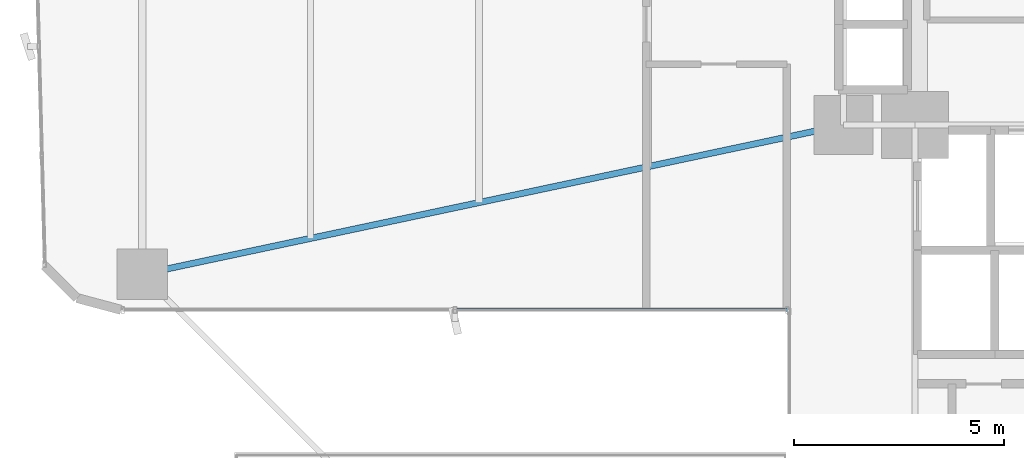
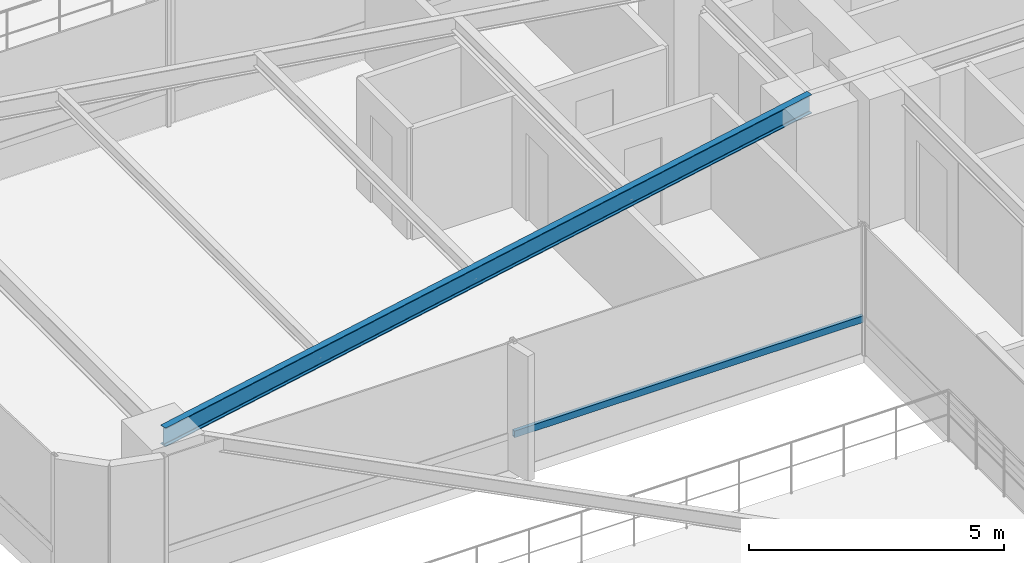
# One storey, part 6 of 27: 1 beam, 1 member, 1 element without a shape of its own.
"""IFC4 building model written with IfcOpenShell, lengths in metres."""

from ifc_helpers import new_model, si_unit, direction, frame, origin, origin_2d, place, context, subcontext, project, spatial, hollow_rectangle, i_section, extrude, source, transform, mapped, material, material_profile, profile_set, type_object, element, aggregate, save


model = new_model("IFC4")

# Units and contexts
model_context = context("Model", 3, precision=1e-05, world=origin(), true_north=direction((0.0, 1.0)))
body_context = subcontext(model_context, "Body", "Model", "MODEL_VIEW")
ifc_project = project(units=[si_unit("LENGTHUNIT", "METRE"), si_unit("AREAUNIT", "SQUARE_METRE"), si_unit("VOLUMEUNIT", "CUBIC_METRE"), si_unit("PLANEANGLEUNIT", "RADIAN"), si_unit("MASSUNIT", "GRAM", prefix="KILO")], contexts=[model_context])

# Site, building, storey
site_placement = place(None, origin())
site = spatial("IfcSite", under=ifc_project, at=site_placement, CompositionType="ELEMENT")
building_placement = place(site_placement, origin())
building = spatial("IfcBuilding", under=site, at=building_placement, Name="Sahyath Konkavel Grand Hotel", CompositionType="ELEMENT")
storey_placement = place(building_placement, frame((0.0, 0.0, 23.10009765625)))
storey = spatial("IfcBuildingStorey", under=building, at=storey_placement, Name="L05", CompositionType="ELEMENT", Elevation=23.10009765625)

# Beam
ifc_material_1 = material(Name="Steel E350", Category="steel")
ifc_material_profile_1 = material_profile(ifc_material_1, i_section(OverallWidth=0.14990234375, OverallDepth=0.449951171875, WebThickness=0.009521484375, FlangeThickness=0.017333984375, FilletRadius=0.014892578125, at=origin_2d()), Name="ISMB 450")
ifc_profile_set_1 = profile_set([ifc_material_profile_1], Name="Steel E350")
beam_type = type_object("IfcBeamType", Name="BM-ISMB450", PredefinedType="BEAM", material=ifc_profile_set_1)
shared_shape_1 = source(origin(), body_context, "Body", "SweptSolid", [
    extrude(i_section(OverallWidth=0.14990234375, OverallDepth=0.449951171875, WebThickness=0.009521484375, FlangeThickness=0.017333984375, FilletRadius=0.014892578125, at=origin_2d()), origin(), (0.0, 0.0, 1.0), 17.072998046875),
])
beam_placement = place(storey_placement, frame((-5.5, -2.39990234375, 2.885009765625), z_axis=(-0.978143257225, -0.20793212437, 0.0), x_axis=(0.20793212437, -0.978143257225, 0.0)))
element("IfcBeam", 1, at=beam_placement, inside=storey, type_object=beam_type, Name="L05 Cruciform Radial Girder WB", PredefinedType="BEAM", context=body_context, shape_type="MappedRepresentation", body=[
    mapped(shared_shape_1, transform((0.0, 0.0, 0.0), scale=1.0)),
])

# Curtain wall, member
ifc_material_2 = material(Name="Anodised Bronze Aluminium & Low-E Glazing", Category="aluminium")
curtain_wall_type = type_object("IfcCurtainWallType", Name="CW-ZONE1", PredefinedType="NOTDEFINED", material=ifc_material_2)
curtain_wall_placement = place(storey_placement, origin())
curtain_wall = element("IfcCurtainWall", 2, at=curtain_wall_placement, inside=storey, type_object=curtain_wall_type, Name="L05 Unitised Curtain Wall F23", PredefinedType="NOTDEFINED")
ifc_material_3 = material(Name="Anodised Bronze Aluminium", Category="aluminium")
ifc_material_profile_2 = material_profile(ifc_material_3, hollow_rectangle(XDim=0.080078125, YDim=0.159912109375, WallThickness=0.006103515625, at=origin_2d()), Name="RHS 160x80x6")
ifc_profile_set_2 = profile_set([ifc_material_profile_2], Name="Anodised Bronze Aluminium")
member_type = type_object("IfcMemberType", Name="CW-TRN-160", PredefinedType="USERDEFINED", material=ifc_profile_set_2)
shared_shape_2 = source(origin(), body_context, "Body", "SweptSolid", [
    extrude(hollow_rectangle(XDim=0.080078125, YDim=0.159912109375, WallThickness=0.006103515625, at=origin_2d()), origin(), (0.0, 0.0, 1.0), 7.909912109375),
])
member_placement = place(storey_placement, frame((-14.75, -6.800048828125, 0.849853515625), z_axis=(1.0, 0.0, 0.0), x_axis=(0.0, 1.0, 0.0)))
member = element("IfcMember", 3, at=member_placement, type_object=member_type, Name="L05 Curtain Wall Transom F23-1-spandrel", ObjectType="TRANSOM", PredefinedType="USERDEFINED", context=body_context, shape_type="MappedRepresentation", body=[
    mapped(shared_shape_2, transform((0.0, 0.0, 0.0), scale=1.0)),
])
aggregate(curtain_wall, [member])

save(model, "model.ifc")
